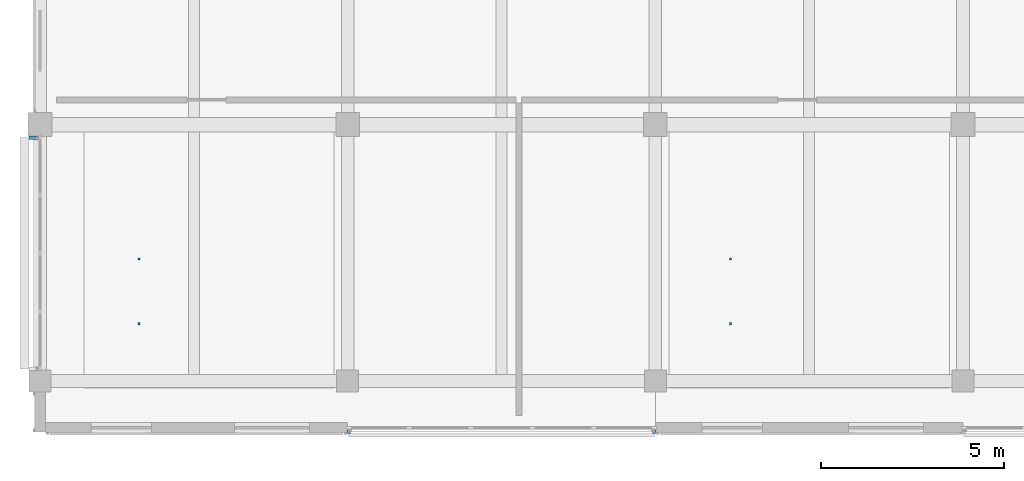
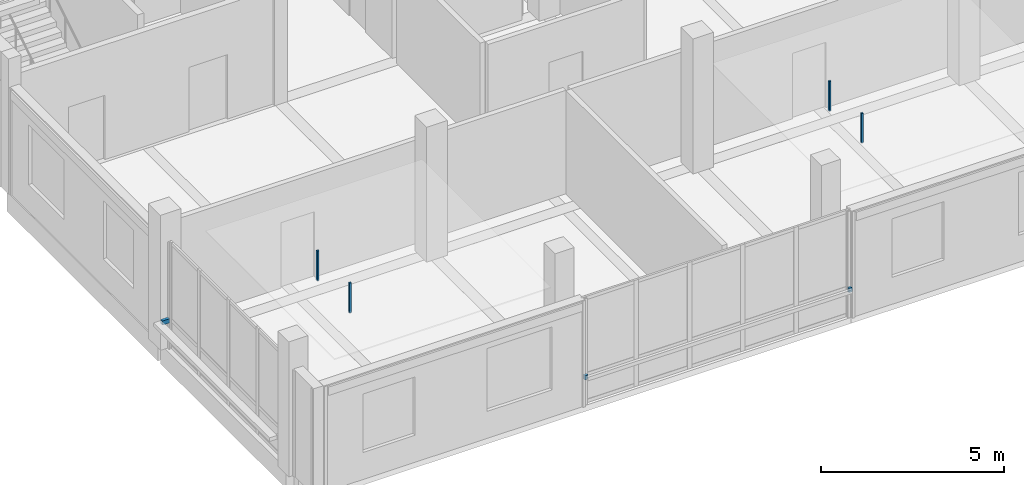
# One storey, part 14 of 29: 7 discrete accessories.
"""IFC4 building model written with IfcOpenShell, lengths in metres."""

from ifc_helpers import new_model, si_unit, direction, frame, origin, origin_2d, place, context, subcontext, project, spatial, rectangle, extrude, material, type_object, element, save


model = new_model("IFC4")

# Units and contexts
model_context = context("Model", 3, precision=1e-05, world=origin(), true_north=direction((0.0, 1.0)))
body_context = subcontext(model_context, "Body", "Model", "MODEL_VIEW")
ifc_project = project(units=[si_unit("LENGTHUNIT", "METRE"), si_unit("AREAUNIT", "SQUARE_METRE"), si_unit("VOLUMEUNIT", "CUBIC_METRE"), si_unit("PLANEANGLEUNIT", "RADIAN"), si_unit("MASSUNIT", "GRAM", prefix="KILO")], contexts=[model_context])

# Site, building, storey
site_placement = place(None, origin())
site = spatial("IfcSite", under=ifc_project, at=site_placement, CompositionType="ELEMENT")
building_placement = place(site_placement, origin())
building = spatial("IfcBuilding", under=site, at=building_placement, Name="Telukmera Botanical Conservatory", CompositionType="ELEMENT")
storey_placement = place(building_placement, frame((0.0, 0.0, 55.5)))
storey = spatial("IfcBuildingStorey", under=building, at=storey_placement, Name="L12", CompositionType="ELEMENT", Elevation=55.5)

# Discrete accessories
ifc_material = material(Name="Steel S355", Category="steel")
discrete_accessory_type_1 = type_object("IfcDiscreteAccessoryType", Name="ACC-CEIL-HGR", PredefinedType="BRACKET", material=ifc_material)
for number, where, z_axis, x_axis, name in (
    (1, (61.502685546875, 12.16259765625, 3.31005859375), (0.0, 0.0, 1.0), (1.0, 0.0, 0.0), "L12 Suspended Ceiling Hanger Rod 026-1"),
    (2, (61.502685546875, 13.925048828125, 3.31005859375), (0.0, 0.0, 1.0), (1.0, 0.0, 0.0), "L12 Suspended Ceiling Hanger Rod 026-2"),
):
    element("IfcDiscreteAccessory", number, at=place(storey_placement, frame(where, z_axis=z_axis, x_axis=x_axis)), inside=storey, type_object=discrete_accessory_type_1, Name=name, PredefinedType="BRACKET", context=body_context, shape_type="SweptSolid", body=[
        extrude(rectangle(XDim=0.06005859375, YDim=0.06005859375, at=origin_2d()), origin(), (0.0, 0.0, 1.0), 0.9951171875),
    ])
for number, where, z_axis, x_axis, name in (
    (3, (77.6552734375, 12.16259765625, 3.31982421875), (0.0, 0.0, 1.0), (1.0, 0.0, 0.0), "L12 Suspended Ceiling Hanger Rod 027-1"),
    (4, (77.6552734375, 13.925048828125, 3.31982421875), (0.0, 0.0, 1.0), (1.0, 0.0, 0.0), "L12 Suspended Ceiling Hanger Rod 027-2"),
):
    element("IfcDiscreteAccessory", number, at=place(storey_placement, frame(where, z_axis=z_axis, x_axis=x_axis)), inside=storey, type_object=discrete_accessory_type_1, Name=name, PredefinedType="BRACKET", context=body_context, shape_type="SweptSolid", body=[
        extrude(rectangle(XDim=0.06005859375, YDim=0.06005859375, at=origin_2d()), origin(), (0.0, 0.0, 1.0), 0.985107421875),
    ])
discrete_accessory_type_2 = type_object("IfcDiscreteAccessoryType", Name="Structural Steel Facade Outrigger Fin Bracket", PredefinedType="BRACKET", material=ifc_material)
for number, where, z_axis, x_axis, name in (
    (5, (67.23193359375, 9.205078125, 0.8798828125), (0.0, 0.0, 1.0), (1.0, 0.0, 0.0), "Facade Outrigger Bracket V4:L12:S2 A"),
    (6, (75.568115234375, 9.205078125, 0.8798828125), (0.0, 0.0, 1.0), (1.0, 0.0, 0.0), "Facade Outrigger Bracket V4:L12:S2 B"),
):
    element("IfcDiscreteAccessory", number, at=place(storey_placement, frame(where, z_axis=z_axis, x_axis=x_axis)), inside=storey, type_object=discrete_accessory_type_2, Name=name, PredefinedType="BRACKET", context=body_context, shape_type="SweptSolid", body=[
        extrude(rectangle(XDim=0.10009765625, YDim=0.090087890625, at=origin_2d()), origin(), (0.0, 0.0, 1.0), 0.139892578125),
    ])
discrete_accessory_placement = place(storey_placement, frame((58.610107421875, 17.242919921875, 0.8798828125), z_axis=(0.0, 0.0, 1.0), x_axis=(0.0, 1.0, 0.0)))
element("IfcDiscreteAccessory", 7, at=discrete_accessory_placement, inside=storey, type_object=discrete_accessory_type_2, Name="Facade Outrigger Bracket V4:L12:W1 B", PredefinedType="BRACKET", context=body_context, shape_type="SweptSolid", body=[
    extrude(rectangle(XDim=0.10009765625, YDim=0.239990234375, at=origin_2d()), origin(), (0.0, 0.0, 1.0), 0.139892578125),
])

save(model, "model.ifc")
